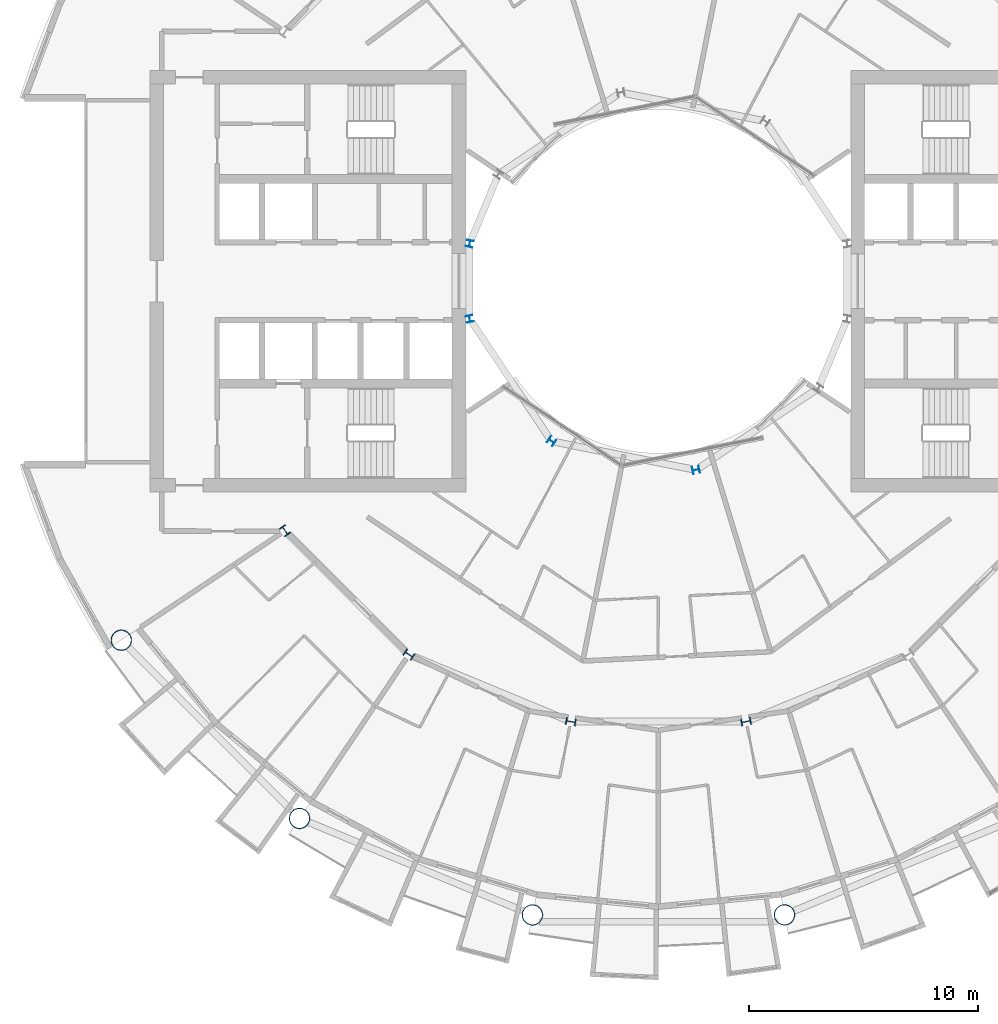
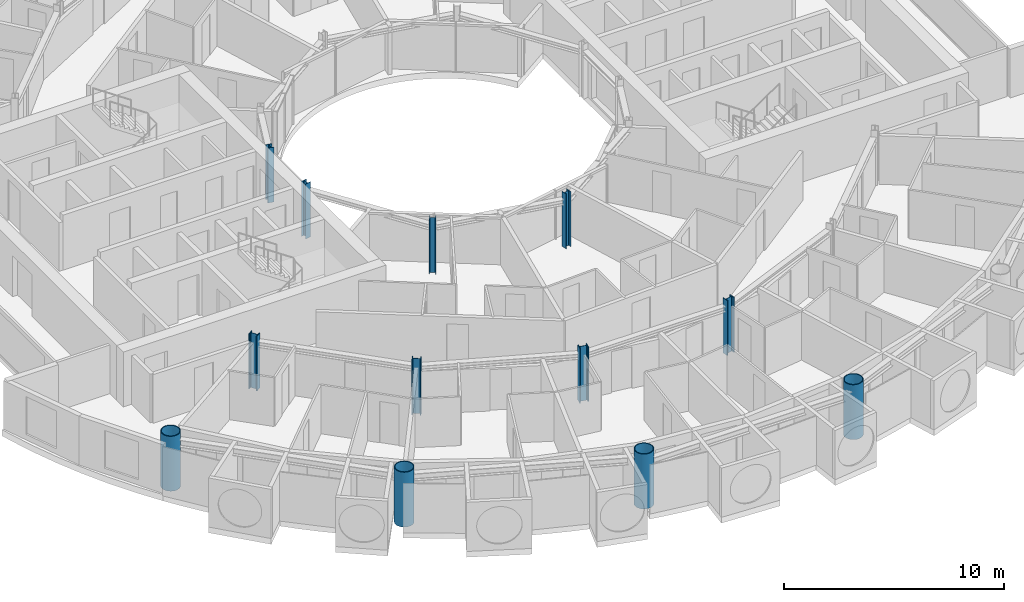
# One storey, part 1 of 26: 12 columns.
"""IFC4 building model written with IfcOpenShell, lengths in metres."""

from ifc_helpers import new_model, si_unit, direction, frame, origin, origin_2d, place, context, subcontext, project, spatial, hollow_circle, i_section, extrude, material, material_profile, profile_set, type_object, element, save


model = new_model("IFC4")

# Units and contexts
model_context = context("Model", 3, precision=1e-05, world=origin(), true_north=direction((0.0, 1.0)))
body_context = subcontext(model_context, "Body", "Model", "MODEL_VIEW")
ifc_project = project(units=[si_unit("LENGTHUNIT", "METRE"), si_unit("AREAUNIT", "SQUARE_METRE"), si_unit("VOLUMEUNIT", "CUBIC_METRE"), si_unit("PLANEANGLEUNIT", "RADIAN"), si_unit("MASSUNIT", "GRAM", prefix="KILO")], contexts=[model_context])

# Site, building, storey
site_placement = place(None, origin())
site = spatial("IfcSite", under=ifc_project, at=site_placement, CompositionType="ELEMENT")
building_placement = place(site_placement, origin())
building = spatial("IfcBuilding", under=site, at=building_placement, Name="Maasbend Ring Residences", CompositionType="ELEMENT")
storey_placement = place(building_placement, frame((0.0, 0.0, 123.85009765625)))
storey = spatial("IfcBuildingStorey", under=building, at=storey_placement, Name="L35", CompositionType="ELEMENT", Elevation=123.85009765625)

# Columns
ifc_material_1 = material(Name="Composite concrete-filled steel tube S460NH / C80/95", Category="concrete")
ifc_material_profile_1 = material_profile(ifc_material_1, hollow_circle(Radius=0.45703125, WallThickness=0.0400390625, at=origin_2d()), Name="Composite tube column CHS 914x40")
ifc_profile_set_1 = profile_set([ifc_material_profile_1], Name="Composite concrete-filled steel tube S460NH / C80/95")
column_type_1 = type_object("IfcColumnType", Name="Composite tube column CHS 914x40", PredefinedType="COLUMN", material=ifc_profile_set_1)
for number, where, z_axis, x_axis, name in (
    (1, (-23.447509765625, -15.6669921875, 0.0), (0.0, 0.0, 1.0), (1.0, 0.0, 0.0), "Outer column R10"),
    (2, (-15.6669921875, -23.447509765625, 0.0), (0.0, 0.0, 1.0), (1.0, 0.0, 0.0), "Outer column R11"),
    (3, (-5.50146484375, -27.658203125, 0.0), (0.0, 0.0, 1.0), (1.0, 0.0, 0.0), "Outer column R12"),
    (4, (5.50146484375, -27.658203125, 0.0), (0.0, 0.0, 1.0), (1.0, 0.0, 0.0), "Outer column R13"),
):
    element("IfcColumn", number, at=place(storey_placement, frame(where, z_axis=z_axis, x_axis=x_axis)), inside=storey, type_object=column_type_1, Name=name, PredefinedType="COLUMN", context=body_context, shape_type="SweptSolid", body=[
        extrude(hollow_circle(Radius=0.45703125, WallThickness=0.0400390625, at=origin_2d()), origin(), (0.0, 0.0, 1.0), 3.0498046875),
    ])
ifc_material_2 = material(Name="Steel S355J2", Category="steel")
ifc_material_profile_2 = material_profile(ifc_material_2, i_section(OverallWidth=0.300048828125, OverallDepth=0.300048828125, WebThickness=0.010986328125, FlangeThickness=0.01904296875, FilletRadius=0.027099609375, at=origin_2d()), Name="HEB 300")
ifc_profile_set_2 = profile_set([ifc_material_profile_2], Name="Steel S355J2")
column_type_2 = type_object("IfcColumnType", Name="Steel column HEB 300", PredefinedType="COLUMN", material=ifc_profile_set_2)
for number, where, z_axis, x_axis, name in (
    (5, (-8.238525390625, 1.638916015625, 0.0), (0.0, 0.0, 1.0), (-0.980785280403, 0.195090322016, 0.0), "Well ring column R8"),
    (6, (-8.238525390625, -1.638916015625, 0.0), (0.0, 0.0, 1.0), (-0.980785280403, -0.195090322016, 0.0), "Well ring column R9"),
    (7, (-4.666748046875, -6.984375, 0.0), (0.0, 0.0, 1.0), (-0.55557023302, -0.831469612303, 0.0), "Well ring column R11"),
    (8, (1.638916015625, -8.238525390625, 0.0), (0.0, 0.0, 1.0), (0.195090322016, -0.980785280403, 0.0), "Well ring column R13"),
):
    element("IfcColumn", number, at=place(storey_placement, frame(where, z_axis=z_axis, x_axis=x_axis)), inside=storey, type_object=column_type_2, Name=name, PredefinedType="COLUMN", context=body_context, shape_type="SweptSolid", body=[
        extrude(i_section(OverallWidth=0.300048828125, OverallDepth=0.300048828125, WebThickness=0.010986328125, FlangeThickness=0.01904296875, FilletRadius=0.027099609375, at=origin_2d()), origin(), (0.0, 0.0, 1.0), 3.0498046875),
    ])
ifc_material_3 = material(Name="Steel S460M", Category="steel")
ifc_material_profile_3 = material_profile(ifc_material_3, i_section(OverallWidth=0.306884765625, OverallDepth=0.431884765625, WebThickness=0.02099609375, FlangeThickness=0.0400390625, FilletRadius=0.027099609375, at=origin_2d()), Name="HEM 400")
ifc_profile_set_3 = profile_set([ifc_material_profile_3], Name="Steel S460M")
column_type_3 = type_object("IfcColumnType", Name="Steel column HEM 400", PredefinedType="COLUMN", material=ifc_profile_set_3)
for number, where, z_axis, x_axis, name in (
    (9, (-16.296875, -10.88916015625, 0.0), (0.0, 0.0, 1.0), (-0.831469612303, -0.55557023302, 0.0), "Corridor ring column R10"),
    (10, (-10.88916015625, -16.296875, 0.0), (0.0, 0.0, 1.0), (-0.55557023302, -0.831469612303, 0.0), "Corridor ring column R11"),
    (11, (-3.82373046875, -19.223388671875, 0.0), (0.0, 0.0, 1.0), (-0.195090322016, -0.980785280403, 0.0), "Corridor ring column R12"),
    (12, (3.82373046875, -19.223388671875, 0.0), (0.0, 0.0, 1.0), (0.195090322016, -0.980785280403, 0.0), "Corridor ring column R13"),
):
    element("IfcColumn", number, at=place(storey_placement, frame(where, z_axis=z_axis, x_axis=x_axis)), inside=storey, type_object=column_type_3, Name=name, PredefinedType="COLUMN", context=body_context, shape_type="SweptSolid", body=[
        extrude(i_section(OverallWidth=0.306884765625, OverallDepth=0.431884765625, WebThickness=0.02099609375, FlangeThickness=0.0400390625, FilletRadius=0.027099609375, at=origin_2d()), origin(), (0.0, 0.0, 1.0), 3.0498046875),
    ])

save(model, "model.ifc")
